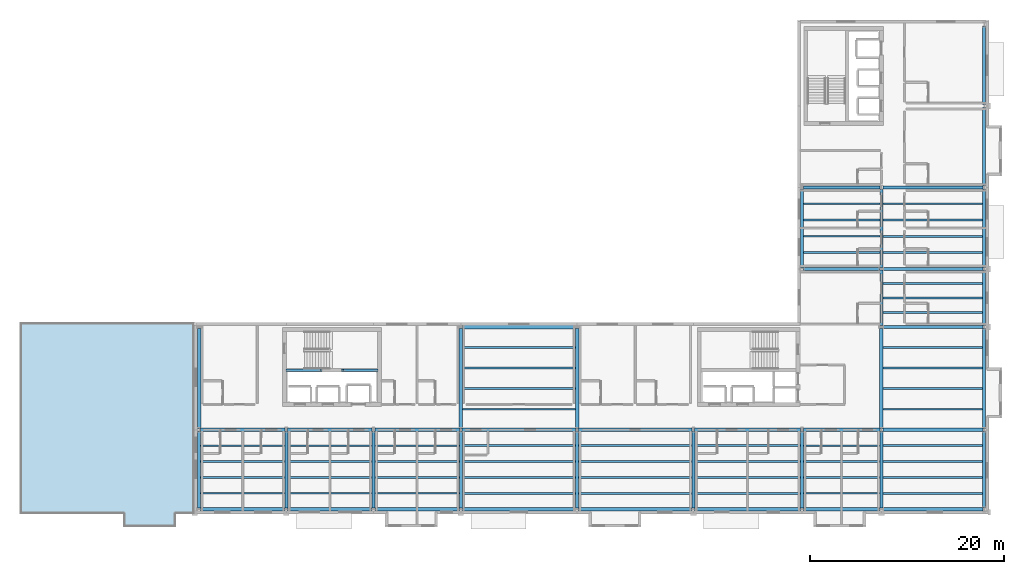
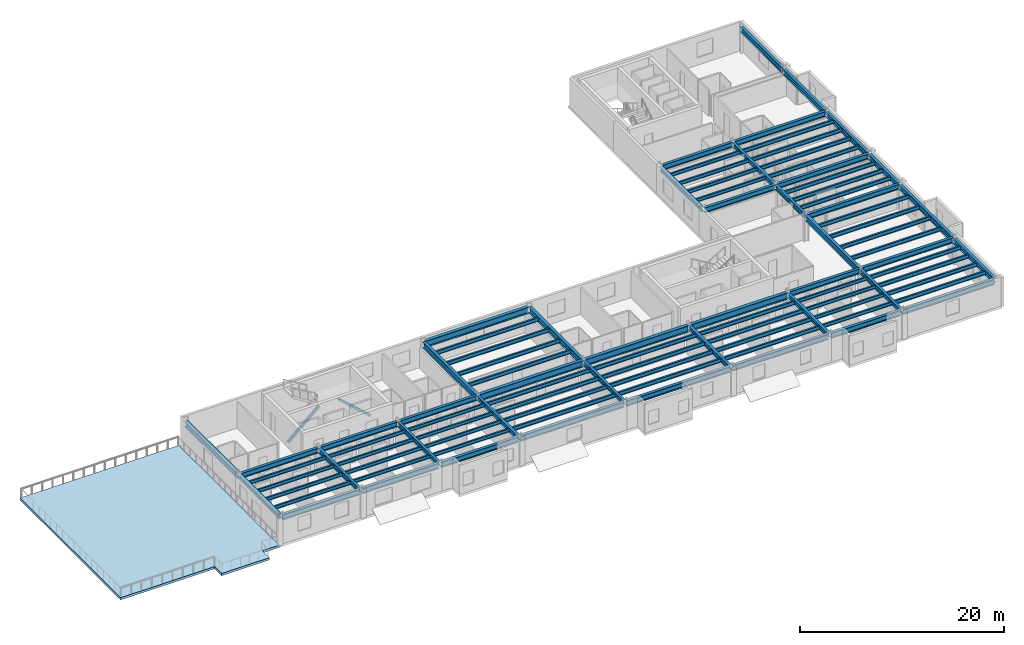
# One storey, part 3 of 17: 94 beams, 2 members, 1 slab.
"""IFC4 building model written with IfcOpenShell, lengths in metres."""

from ifc_helpers import new_model, si_unit, direction, frame, origin, origin_2d, place, context, subcontext, project, spatial, polyline, hollow_rectangle, i_section, outline, extrude, material, layer, layer_set, material_profile, profile_set, type_object, element, save


model = new_model("IFC4")

# Units and contexts
model_context = context("Model", 3, precision=1e-05, world=origin(), true_north=direction((0.0, 1.0)))
body_context = subcontext(model_context, "Body", "Model", "MODEL_VIEW")
ifc_project = project(units=[si_unit("LENGTHUNIT", "METRE"), si_unit("AREAUNIT", "SQUARE_METRE"), si_unit("VOLUMEUNIT", "CUBIC_METRE"), si_unit("PLANEANGLEUNIT", "RADIAN"), si_unit("MASSUNIT", "GRAM", prefix="KILO")], contexts=[model_context])

# Site, building, storey
site_placement = place(None, origin())
site = spatial("IfcSite", under=ifc_project, at=site_placement, CompositionType="ELEMENT")
building_placement = place(site_placement, origin())
building = spatial("IfcBuilding", under=site, at=building_placement, Name="Sollismere Congress Hotel", CompositionType="ELEMENT")
storey_placement = place(building_placement, frame((0.0, 0.0, 41.10009765625)))
storey = spatial("IfcBuildingStorey", under=building, at=storey_placement, Name="L10", CompositionType="ELEMENT", Elevation=41.10009765625)

# Beams
ifc_material_1 = material(Name="Steel ASTM A992 Grade 50", Category="steel")
ifc_material_profile_1 = material_profile(ifc_material_1, i_section(OverallWidth=0.31494140625, OverallDepth=0.551025390625, WebThickness=0.01513671875, FlangeThickness=0.0244140625, at=origin_2d()), Name="W21X122")
ifc_profile_set_1 = profile_set([ifc_material_profile_1], Name="Steel ASTM A992 Grade 50")
beam_type_1 = type_object("IfcBeamType", Name="BM-G21H", PredefinedType="BEAM", material=ifc_profile_set_1)
for number, where, z_axis, x_axis, name in (
    (1, (85.0, 0.139892578125, 2.929443359375), (0.0, 1.0, 0.0), (-1.0, 0.0, 0.0), "Beam BM-L10-3668"),
    (2, (94.0, 0.139892578125, 2.929443359375), (0.0, 1.0, 0.0), (-1.0, 0.0, 0.0), "Beam BM-L10-3670"),
    (3, (103.0, 0.139892578125, 2.929443359375), (0.0, 1.0, 0.0), (-1.0, 0.0, 0.0), "Beam BM-L10-3671"),
    (4, (112.0, 0.139892578125, 2.929443359375), (0.0, 1.0, 0.0), (-1.0, 0.0, 0.0), "Beam BM-L10-3672"),
    (5, (124.0, 0.139892578125, 2.929443359375), (0.0, 1.0, 0.0), (-1.0, 0.0, 0.0), "Beam BM-L10-3674"),
    (6, (136.0, 0.139892578125, 2.929443359375), (0.0, 1.0, 0.0), (-1.0, 0.0, 0.0), "Beam BM-L10-3676"),
    (7, (147.199951171875, 0.139892578125, 2.929443359375), (0.0, 1.0, 0.0), (-1.0, 0.0, 0.0), "Beam BM-L10-3677"),
):
    element("IfcBeam", number, at=place(storey_placement, frame(where, z_axis=z_axis, x_axis=x_axis)), inside=storey, type_object=beam_type_1, Name=name, PredefinedType="BEAM", context=body_context, shape_type="SweptSolid", body=[
        extrude(i_section(OverallWidth=0.31494140625, OverallDepth=0.551025390625, WebThickness=0.01513671875, FlangeThickness=0.0244140625, at=origin_2d()), origin(), (0.0, 0.0, 1.0), 7.920166015625),
    ])
beam_1_placement = place(storey_placement, frame((147.199951171875, 24.93994140625, 2.929443359375), z_axis=(0.0, 1.0, 0.0), x_axis=(-1.0, 0.0, 0.0)))
element("IfcBeam", 8, at=beam_1_placement, inside=storey, type_object=beam_type_1, Name="Beam BM-L10-3678", PredefinedType="BEAM", context=body_context, shape_type="SweptSolid", body=[
    extrude(i_section(OverallWidth=0.31494140625, OverallDepth=0.551025390625, WebThickness=0.01513671875, FlangeThickness=0.0244140625, at=origin_2d()), origin(), (0.0, 0.0, 1.0), 8.1201171875),
])
beam_2_placement = place(storey_placement, frame((155.39990234375, 0.139892578125, 2.929443359375), z_axis=(0.0, 1.0, 0.0), x_axis=(-1.0, 0.0, 0.0)))
element("IfcBeam", 9, at=beam_2_placement, inside=storey, type_object=beam_type_1, Name="Beam BM-L10-3679", PredefinedType="BEAM", context=body_context, shape_type="SweptSolid", body=[
    extrude(i_section(OverallWidth=0.31494140625, OverallDepth=0.551025390625, WebThickness=0.01513671875, FlangeThickness=0.0244140625, at=origin_2d()), origin(), (0.0, 0.0, 1.0), 7.920166015625),
])
beam_3_placement = place(storey_placement, frame((155.39990234375, 18.93994140625, 2.929443359375), z_axis=(0.0, 1.0, 0.0), x_axis=(-1.0, 0.0, 0.0)))
element("IfcBeam", 10, at=beam_3_placement, inside=storey, type_object=beam_type_1, Name="Beam BM-L10-3681", PredefinedType="BEAM", context=body_context, shape_type="SweptSolid", body=[
    extrude(i_section(OverallWidth=0.31494140625, OverallDepth=0.551025390625, WebThickness=0.01513671875, FlangeThickness=0.0244140625, at=origin_2d()), origin(), (0.0, 0.0, 1.0), 5.719970703125),
])
beam_4_placement = place(storey_placement, frame((155.39990234375, 24.93994140625, 2.929443359375), z_axis=(0.0, 1.0, 0.0), x_axis=(-1.0, 0.0, 0.0)))
element("IfcBeam", 11, at=beam_4_placement, inside=storey, type_object=beam_type_1, Name="Beam BM-L10-3682", PredefinedType="BEAM", context=body_context, shape_type="SweptSolid", body=[
    extrude(i_section(OverallWidth=0.31494140625, OverallDepth=0.551025390625, WebThickness=0.01513671875, FlangeThickness=0.0244140625, at=origin_2d()), origin(), (0.0, 0.0, 1.0), 8.1201171875),
])
ifc_material_profile_2 = material_profile(ifc_material_1, i_section(OverallWidth=0.324951171875, OverallDepth=0.612060546875, WebThickness=0.0126953125, FlangeThickness=0.01904296875, at=origin_2d()), Name="W24X104")
ifc_profile_set_2 = profile_set([ifc_material_profile_2], Name="Steel ASTM A992 Grade 50")
beam_type_2 = type_object("IfcBeamType", Name="BM-G24", PredefinedType="BEAM", material=ifc_profile_set_2)
for number, where, z_axis, x_axis, name in (
    (12, (85.139892578125, 8.199951171875, 2.89892578125), (1.0, 0.0, 0.0), (0.0, 1.0, 0.0), "Beam BM-L10-3654"),
    (13, (94.139892578125, 8.199951171875, 2.89892578125), (1.0, 0.0, 0.0), (0.0, 1.0, 0.0), "Beam BM-L10-3655"),
    (14, (103.139892578125, 8.199951171875, 2.89892578125), (1.0, 0.0, 0.0), (0.0, 1.0, 0.0), "Beam BM-L10-3656"),
):
    element("IfcBeam", number, at=place(storey_placement, frame(where, z_axis=z_axis, x_axis=x_axis)), inside=storey, type_object=beam_type_2, Name=name, PredefinedType="BEAM", context=body_context, shape_type="SweptSolid", body=[
        extrude(i_section(OverallWidth=0.324951171875, OverallDepth=0.612060546875, WebThickness=0.0126953125, FlangeThickness=0.01904296875, at=origin_2d()), origin(), (0.0, 0.0, 1.0), 8.72021484375),
    ])
beam_5_placement = place(storey_placement, frame((147.340087890625, 8.199951171875, 2.89892578125), z_axis=(1.0, 0.0, 0.0), x_axis=(0.0, 1.0, 0.0)))
element("IfcBeam", 15, at=beam_5_placement, inside=storey, type_object=beam_type_2, Name="Beam BM-L10-3660", PredefinedType="BEAM", context=body_context, shape_type="SweptSolid", body=[
    extrude(i_section(OverallWidth=0.324951171875, OverallDepth=0.612060546875, WebThickness=0.0126953125, FlangeThickness=0.01904296875, at=origin_2d()), origin(), (0.0, 0.0, 1.0), 7.919921875),
])
for number, where, z_axis, x_axis, name in (
    (16, (155.5400390625, 8.199951171875, 2.89892578125), (1.0, 0.0, 0.0), (0.0, 1.0, 0.0), "Beam BM-L10-3661"),
    (17, (155.5400390625, 18.800048828125, 2.89892578125), (1.0, 0.0, 0.0), (0.0, 1.0, 0.0), "Beam BM-L10-3663"),
):
    element("IfcBeam", number, at=place(storey_placement, frame(where, z_axis=z_axis, x_axis=x_axis)), inside=storey, type_object=beam_type_2, Name=name, PredefinedType="BEAM", context=body_context, shape_type="SweptSolid", body=[
        extrude(i_section(OverallWidth=0.324951171875, OverallDepth=0.612060546875, WebThickness=0.0126953125, FlangeThickness=0.01904296875, at=origin_2d()), origin(), (0.0, 0.0, 1.0), 10.320068359375),
    ])
beam_6_placement = place(storey_placement, frame((147.340087890625, 24.800048828125, 2.89892578125), z_axis=(1.0, 0.0, 0.0), x_axis=(0.0, 1.0, 0.0)))
element("IfcBeam", 18, at=beam_6_placement, inside=storey, type_object=beam_type_2, Name="Beam BM-L10-3664", PredefinedType="BEAM", context=body_context, shape_type="SweptSolid", body=[
    extrude(i_section(OverallWidth=0.324951171875, OverallDepth=0.612060546875, WebThickness=0.0126953125, FlangeThickness=0.01904296875, at=origin_2d()), origin(), (0.0, 0.0, 1.0), 7.919921875),
])
beam_7_placement = place(storey_placement, frame((155.5400390625, 24.800048828125, 2.89892578125), z_axis=(1.0, 0.0, 0.0), x_axis=(0.0, 1.0, 0.0)))
element("IfcBeam", 19, at=beam_7_placement, inside=storey, type_object=beam_type_2, Name="Beam BM-L10-3665", PredefinedType="BEAM", context=body_context, shape_type="SweptSolid", body=[
    extrude(i_section(OverallWidth=0.324951171875, OverallDepth=0.612060546875, WebThickness=0.0126953125, FlangeThickness=0.01904296875, at=origin_2d()), origin(), (0.0, 0.0, 1.0), 10.320068359375),
])
beam_8_placement = place(storey_placement, frame((147.340087890625, 33.199951171875, 2.89892578125), z_axis=(1.0, 0.0, 0.0), x_axis=(0.0, 1.0, 0.0)))
element("IfcBeam", 20, at=beam_8_placement, inside=storey, type_object=beam_type_2, Name="Beam BM-L10-3666", PredefinedType="BEAM", context=body_context, shape_type="SweptSolid", body=[
    extrude(i_section(OverallWidth=0.324951171875, OverallDepth=0.612060546875, WebThickness=0.0126953125, FlangeThickness=0.01904296875, at=origin_2d()), origin(), (0.0, 0.0, 1.0), 7.919921875),
])
beam_9_placement = place(storey_placement, frame((155.5400390625, 33.199951171875, 2.89892578125), z_axis=(1.0, 0.0, 0.0), x_axis=(0.0, 1.0, 0.0)))
element("IfcBeam", 21, at=beam_9_placement, inside=storey, type_object=beam_type_2, Name="Beam BM-L10-3667", PredefinedType="BEAM", context=body_context, shape_type="SweptSolid", body=[
    extrude(i_section(OverallWidth=0.324951171875, OverallDepth=0.612060546875, WebThickness=0.0126953125, FlangeThickness=0.01904296875, at=origin_2d()), origin(), (0.0, 0.0, 1.0), 10.320068359375),
])
ifc_material_profile_3 = material_profile(ifc_material_1, i_section(OverallWidth=0.35595703125, OverallDepth=0.696044921875, WebThickness=0.015380859375, FlangeThickness=0.025146484375, at=origin_2d()), Name="W27X146")
ifc_profile_set_3 = profile_set([ifc_material_profile_3], Name="Steel ASTM A992 Grade 50")
beam_type_3 = type_object("IfcBeamType", Name="BM-G27", PredefinedType="BEAM", material=ifc_profile_set_3)
for number, where, z_axis, x_axis, name in (
    (22, (85.0, 8.340087890625, 2.85693359375), (0.0, 1.0, 0.0), (-1.0, 0.0, 0.0), "Beam BM-L10-3669"),
    (23, (112.0, 8.340087890625, 2.85693359375), (0.0, 1.0, 0.0), (-1.0, 0.0, 0.0), "Beam BM-L10-3673"),
    (24, (124.0, 8.340087890625, 2.85693359375), (0.0, 1.0, 0.0), (-1.0, 0.0, 0.0), "Beam BM-L10-3675"),
    (25, (155.39990234375, 8.340087890625, 2.85693359375), (0.0, 1.0, 0.0), (-1.0, 0.0, 0.0), "Beam BM-L10-3680"),
):
    element("IfcBeam", number, at=place(storey_placement, frame(where, z_axis=z_axis, x_axis=x_axis)), inside=storey, type_object=beam_type_3, Name=name, PredefinedType="BEAM", context=body_context, shape_type="SweptSolid", body=[
        extrude(i_section(OverallWidth=0.35595703125, OverallDepth=0.696044921875, WebThickness=0.015380859375, FlangeThickness=0.025146484375, at=origin_2d()), origin(), (0.0, 0.0, 1.0), 10.31982421875),
    ])
ifc_material_profile_4 = material_profile(ifc_material_1, i_section(OverallWidth=0.384033203125, OverallDepth=0.787109375, WebThickness=0.019775390625, FlangeThickness=0.033447265625, at=origin_2d()), Name="W30X211")
ifc_profile_set_4 = profile_set([ifc_material_profile_4], Name="Steel ASTM A992 Grade 50")
beam_type_4 = type_object("IfcBeamType", Name="BM-G30", PredefinedType="BEAM", material=ifc_profile_set_4)
for number, where, z_axis, x_axis, name in (
    (26, (112.139892578125, 8.199951171875, 2.8115234375), (1.0, 0.0, 0.0), (0.0, 1.0, 0.0), "Beam BM-L10-3657"),
    (27, (124.139892578125, 8.199951171875, 2.8115234375), (1.0, 0.0, 0.0), (0.0, 1.0, 0.0), "Beam BM-L10-3658"),
):
    element("IfcBeam", number, at=place(storey_placement, frame(where, z_axis=z_axis, x_axis=x_axis)), inside=storey, type_object=beam_type_4, Name=name, PredefinedType="BEAM", context=body_context, shape_type="SweptSolid", body=[
        extrude(i_section(OverallWidth=0.384033203125, OverallDepth=0.787109375, WebThickness=0.019775390625, FlangeThickness=0.033447265625, at=origin_2d()), origin(), (0.0, 0.0, 1.0), 11.72021484375),
    ])
beam_10_placement = place(storey_placement, frame((136.139892578125, 8.199951171875, 2.8115234375), z_axis=(1.0, 0.0, 0.0), x_axis=(0.0, 1.0, 0.0)))
element("IfcBeam", 28, at=beam_10_placement, inside=storey, type_object=beam_type_4, Name="Beam BM-L10-3659", PredefinedType="BEAM", context=body_context, shape_type="SweptSolid", body=[
    extrude(i_section(OverallWidth=0.384033203125, OverallDepth=0.787109375, WebThickness=0.019775390625, FlangeThickness=0.033447265625, at=origin_2d()), origin(), (0.0, 0.0, 1.0), 10.920166015625),
])
beam_11_placement = place(storey_placement, frame((112.139892578125, 18.800048828125, 2.8115234375), z_axis=(1.0, 0.0, 0.0), x_axis=(0.0, 1.0, 0.0)))
element("IfcBeam", 29, at=beam_11_placement, inside=storey, type_object=beam_type_4, Name="Beam BM-L10-3662", PredefinedType="BEAM", context=body_context, shape_type="SweptSolid", body=[
    extrude(i_section(OverallWidth=0.384033203125, OverallDepth=0.787109375, WebThickness=0.019775390625, FlangeThickness=0.033447265625, at=origin_2d()), origin(), (0.0, 0.0, 1.0), 11.72021484375),
])
ifc_material_profile_5 = material_profile(ifc_material_1, i_section(OverallWidth=0.180908203125, OverallDepth=0.4169921875, WebThickness=0.010986328125, FlangeThickness=0.018310546875, at=origin_2d()), Name="W16X57")
ifc_profile_set_5 = profile_set([ifc_material_profile_5], Name="Steel ASTM A992 Grade 50")
beam_type_5 = type_object("IfcBeamType", Name="BM-J16", PredefinedType="JOIST", material=ifc_profile_set_5)
for number, where, z_axis, x_axis, name in (
    (30, (85.157470703125, 1.639892578125, 2.996337890625), (1.0, 0.0, 0.0), (0.0, 1.0, 0.0), "Beam BM-L10-3689"),
    (31, (85.157470703125, 3.280029296875, 2.996337890625), (1.0, 0.0, 0.0), (0.0, 1.0, 0.0), "Beam BM-L10-3690"),
    (32, (85.157470703125, 4.919921875, 2.996337890625), (1.0, 0.0, 0.0), (0.0, 1.0, 0.0), "Beam BM-L10-3691"),
    (33, (85.157470703125, 6.56005859375, 2.996337890625), (1.0, 0.0, 0.0), (0.0, 1.0, 0.0), "Beam BM-L10-3692"),
    (34, (94.157470703125, 1.639892578125, 2.996337890625), (1.0, 0.0, 0.0), (0.0, 1.0, 0.0), "Beam BM-L10-3693"),
    (35, (94.157470703125, 3.280029296875, 2.996337890625), (1.0, 0.0, 0.0), (0.0, 1.0, 0.0), "Beam BM-L10-3694"),
    (36, (94.157470703125, 4.919921875, 2.996337890625), (1.0, 0.0, 0.0), (0.0, 1.0, 0.0), "Beam BM-L10-3695"),
    (37, (94.157470703125, 6.56005859375, 2.996337890625), (1.0, 0.0, 0.0), (0.0, 1.0, 0.0), "Beam BM-L10-3696"),
    (38, (103.157470703125, 1.639892578125, 2.996337890625), (1.0, 0.0, 0.0), (0.0, 1.0, 0.0), "Beam BM-L10-3697"),
    (39, (103.157470703125, 3.280029296875, 2.996337890625), (1.0, 0.0, 0.0), (0.0, 1.0, 0.0), "Beam BM-L10-3698"),
    (40, (103.157470703125, 4.919921875, 2.996337890625), (1.0, 0.0, 0.0), (0.0, 1.0, 0.0), "Beam BM-L10-3699"),
    (41, (103.157470703125, 6.56005859375, 2.996337890625), (1.0, 0.0, 0.0), (0.0, 1.0, 0.0), "Beam BM-L10-3700"),
):
    element("IfcBeam", number, at=place(storey_placement, frame(where, z_axis=z_axis, x_axis=x_axis)), inside=storey, type_object=beam_type_5, Name=name, PredefinedType="JOIST", context=body_context, shape_type="SweptSolid", body=[
        extrude(i_section(OverallWidth=0.180908203125, OverallDepth=0.4169921875, WebThickness=0.010986328125, FlangeThickness=0.018310546875, at=origin_2d()), origin(), (0.0, 0.0, 1.0), 8.68505859375),
    ])
for number, where, z_axis, x_axis, name in (
    (42, (147.357421875, 1.639892578125, 2.996337890625), (1.0, 0.0, 0.0), (0.0, 1.0, 0.0), "Beam BM-L10-3717"),
    (43, (147.357421875, 3.280029296875, 2.996337890625), (1.0, 0.0, 0.0), (0.0, 1.0, 0.0), "Beam BM-L10-3718"),
    (44, (147.357421875, 4.919921875, 2.996337890625), (1.0, 0.0, 0.0), (0.0, 1.0, 0.0), "Beam BM-L10-3719"),
    (45, (147.357421875, 6.56005859375, 2.996337890625), (1.0, 0.0, 0.0), (0.0, 1.0, 0.0), "Beam BM-L10-3720"),
    (46, (147.357421875, 26.47998046875, 2.996337890625), (1.0, 0.0, 0.0), (0.0, 1.0, 0.0), "Beam BM-L10-3721"),
    (47, (147.357421875, 28.159912109375, 2.996337890625), (1.0, 0.0, 0.0), (0.0, 1.0, 0.0), "Beam BM-L10-3722"),
    (48, (147.357421875, 29.840087890625, 2.996337890625), (1.0, 0.0, 0.0), (0.0, 1.0, 0.0), "Beam BM-L10-3723"),
    (49, (147.357421875, 31.52001953125, 2.996337890625), (1.0, 0.0, 0.0), (0.0, 1.0, 0.0), "Beam BM-L10-3724"),
):
    element("IfcBeam", number, at=place(storey_placement, frame(where, z_axis=z_axis, x_axis=x_axis)), inside=storey, type_object=beam_type_5, Name=name, PredefinedType="JOIST", context=body_context, shape_type="SweptSolid", body=[
        extrude(i_section(OverallWidth=0.180908203125, OverallDepth=0.4169921875, WebThickness=0.010986328125, FlangeThickness=0.018310546875, at=origin_2d()), origin(), (0.0, 0.0, 1.0), 7.885009765625),
    ])
ifc_material_profile_6 = material_profile(ifc_material_1, i_section(OverallWidth=0.193115234375, OverallDepth=0.467041015625, WebThickness=0.011474609375, FlangeThickness=0.01904296875, at=origin_2d()), Name="W18X65")
ifc_profile_set_6 = profile_set([ifc_material_profile_6], Name="Steel ASTM A992 Grade 50")
beam_type_6 = type_object("IfcBeamType", Name="BM-J18", PredefinedType="JOIST", material=ifc_profile_set_6)
for number, where, z_axis, x_axis, name in (
    (50, (112.157470703125, 1.639892578125, 2.971435546875), (1.0, 0.0, 0.0), (0.0, 1.0, 0.0), "Beam BM-L10-3701"),
    (51, (112.157470703125, 3.280029296875, 2.971435546875), (1.0, 0.0, 0.0), (0.0, 1.0, 0.0), "Beam BM-L10-3702"),
    (52, (112.157470703125, 4.919921875, 2.971435546875), (1.0, 0.0, 0.0), (0.0, 1.0, 0.0), "Beam BM-L10-3703"),
    (53, (112.157470703125, 6.56005859375, 2.971435546875), (1.0, 0.0, 0.0), (0.0, 1.0, 0.0), "Beam BM-L10-3704"),
):
    element("IfcBeam", number, at=place(storey_placement, frame(where, z_axis=z_axis, x_axis=x_axis)), inside=storey, type_object=beam_type_6, Name=name, PredefinedType="JOIST", context=body_context, shape_type="SweptSolid", body=[
        extrude(i_section(OverallWidth=0.193115234375, OverallDepth=0.467041015625, WebThickness=0.011474609375, FlangeThickness=0.01904296875, at=origin_2d()), origin(), (0.0, 0.0, 1.0), 11.68505859375),
    ])
for number, where, z_axis, x_axis, name in (
    (54, (112.177978515625, 10.320068359375, 2.971435546875), (1.0, 0.0, 0.0), (0.0, 1.0, 0.0), "Beam BM-L10-3705"),
    (55, (112.177978515625, 12.43994140625, 2.971435546875), (1.0, 0.0, 0.0), (0.0, 1.0, 0.0), "Beam BM-L10-3706"),
    (56, (112.177978515625, 14.56005859375, 2.971435546875), (1.0, 0.0, 0.0), (0.0, 1.0, 0.0), "Beam BM-L10-3707"),
    (57, (112.177978515625, 16.679931640625, 2.971435546875), (1.0, 0.0, 0.0), (0.0, 1.0, 0.0), "Beam BM-L10-3708"),
):
    element("IfcBeam", number, at=place(storey_placement, frame(where, z_axis=z_axis, x_axis=x_axis)), inside=storey, type_object=beam_type_6, Name=name, PredefinedType="JOIST", context=body_context, shape_type="SweptSolid", body=[
        extrude(i_section(OverallWidth=0.193115234375, OverallDepth=0.467041015625, WebThickness=0.011474609375, FlangeThickness=0.01904296875, at=origin_2d()), origin(), (0.0, 0.0, 1.0), 11.64404296875),
    ])
for number, where, z_axis, x_axis, name in (
    (58, (124.157470703125, 1.639892578125, 2.971435546875), (1.0, 0.0, 0.0), (0.0, 1.0, 0.0), "Beam BM-L10-3709"),
    (59, (124.157470703125, 3.280029296875, 2.971435546875), (1.0, 0.0, 0.0), (0.0, 1.0, 0.0), "Beam BM-L10-3710"),
    (60, (124.157470703125, 4.919921875, 2.971435546875), (1.0, 0.0, 0.0), (0.0, 1.0, 0.0), "Beam BM-L10-3711"),
    (61, (124.157470703125, 6.56005859375, 2.971435546875), (1.0, 0.0, 0.0), (0.0, 1.0, 0.0), "Beam BM-L10-3712"),
):
    element("IfcBeam", number, at=place(storey_placement, frame(where, z_axis=z_axis, x_axis=x_axis)), inside=storey, type_object=beam_type_6, Name=name, PredefinedType="JOIST", context=body_context, shape_type="SweptSolid", body=[
        extrude(i_section(OverallWidth=0.193115234375, OverallDepth=0.467041015625, WebThickness=0.011474609375, FlangeThickness=0.01904296875, at=origin_2d()), origin(), (0.0, 0.0, 1.0), 11.68505859375),
    ])
for number, where, z_axis, x_axis, name in (
    (62, (136.157470703125, 1.639892578125, 2.971435546875), (1.0, 0.0, 0.0), (0.0, 1.0, 0.0), "Beam BM-L10-3713"),
    (63, (136.157470703125, 3.280029296875, 2.971435546875), (1.0, 0.0, 0.0), (0.0, 1.0, 0.0), "Beam BM-L10-3714"),
    (64, (136.157470703125, 4.919921875, 2.971435546875), (1.0, 0.0, 0.0), (0.0, 1.0, 0.0), "Beam BM-L10-3715"),
    (65, (136.157470703125, 6.56005859375, 2.971435546875), (1.0, 0.0, 0.0), (0.0, 1.0, 0.0), "Beam BM-L10-3716"),
):
    element("IfcBeam", number, at=place(storey_placement, frame(where, z_axis=z_axis, x_axis=x_axis)), inside=storey, type_object=beam_type_6, Name=name, PredefinedType="JOIST", context=body_context, shape_type="SweptSolid", body=[
        extrude(i_section(OverallWidth=0.193115234375, OverallDepth=0.467041015625, WebThickness=0.011474609375, FlangeThickness=0.01904296875, at=origin_2d()), origin(), (0.0, 0.0, 1.0), 10.885009765625),
    ])
for number, where, z_axis, x_axis, name in (
    (66, (155.5576171875, 1.639892578125, 2.971435546875), (1.0, 0.0, 0.0), (0.0, 1.0, 0.0), "Beam BM-L10-3725"),
    (67, (155.5576171875, 3.280029296875, 2.971435546875), (1.0, 0.0, 0.0), (0.0, 1.0, 0.0), "Beam BM-L10-3726"),
    (68, (155.5576171875, 4.919921875, 2.971435546875), (1.0, 0.0, 0.0), (0.0, 1.0, 0.0), "Beam BM-L10-3727"),
    (69, (155.5576171875, 6.56005859375, 2.971435546875), (1.0, 0.0, 0.0), (0.0, 1.0, 0.0), "Beam BM-L10-3728"),
):
    element("IfcBeam", number, at=place(storey_placement, frame(where, z_axis=z_axis, x_axis=x_axis)), inside=storey, type_object=beam_type_6, Name=name, PredefinedType="JOIST", context=body_context, shape_type="SweptSolid", body=[
        extrude(i_section(OverallWidth=0.193115234375, OverallDepth=0.467041015625, WebThickness=0.011474609375, FlangeThickness=0.01904296875, at=origin_2d()), origin(), (0.0, 0.0, 1.0), 10.27734375),
    ])
for number, where, z_axis, x_axis, name in (
    (70, (155.577880859375, 10.320068359375, 2.971435546875), (1.0, 0.0, 0.0), (0.0, 1.0, 0.0), "Beam BM-L10-3729"),
    (71, (155.577880859375, 12.43994140625, 2.971435546875), (1.0, 0.0, 0.0), (0.0, 1.0, 0.0), "Beam BM-L10-3730"),
    (72, (155.577880859375, 14.56005859375, 2.971435546875), (1.0, 0.0, 0.0), (0.0, 1.0, 0.0), "Beam BM-L10-3731"),
    (73, (155.577880859375, 16.679931640625, 2.971435546875), (1.0, 0.0, 0.0), (0.0, 1.0, 0.0), "Beam BM-L10-3732"),
):
    element("IfcBeam", number, at=place(storey_placement, frame(where, z_axis=z_axis, x_axis=x_axis)), inside=storey, type_object=beam_type_6, Name=name, PredefinedType="JOIST", context=body_context, shape_type="SweptSolid", body=[
        extrude(i_section(OverallWidth=0.193115234375, OverallDepth=0.467041015625, WebThickness=0.011474609375, FlangeThickness=0.01904296875, at=origin_2d()), origin(), (0.0, 0.0, 1.0), 10.257080078125),
    ])
for number, where, z_axis, x_axis, name in (
    (74, (155.5576171875, 20.300048828125, 2.971435546875), (1.0, 0.0, 0.0), (0.0, 1.0, 0.0), "Beam BM-L10-3733"),
    (75, (155.5576171875, 21.800048828125, 2.971435546875), (1.0, 0.0, 0.0), (0.0, 1.0, 0.0), "Beam BM-L10-3734"),
    (76, (155.5576171875, 23.300048828125, 2.971435546875), (1.0, 0.0, 0.0), (0.0, 1.0, 0.0), "Beam BM-L10-3735"),
    (77, (155.5576171875, 26.47998046875, 2.971435546875), (1.0, 0.0, 0.0), (0.0, 1.0, 0.0), "Beam BM-L10-3736"),
    (78, (155.5576171875, 28.159912109375, 2.971435546875), (1.0, 0.0, 0.0), (0.0, 1.0, 0.0), "Beam BM-L10-3737"),
    (79, (155.5576171875, 29.840087890625, 2.971435546875), (1.0, 0.0, 0.0), (0.0, 1.0, 0.0), "Beam BM-L10-3738"),
    (80, (155.5576171875, 31.52001953125, 2.971435546875), (1.0, 0.0, 0.0), (0.0, 1.0, 0.0), "Beam BM-L10-3739"),
):
    element("IfcBeam", number, at=place(storey_placement, frame(where, z_axis=z_axis, x_axis=x_axis)), inside=storey, type_object=beam_type_6, Name=name, PredefinedType="JOIST", context=body_context, shape_type="SweptSolid", body=[
        extrude(i_section(OverallWidth=0.193115234375, OverallDepth=0.467041015625, WebThickness=0.011474609375, FlangeThickness=0.01904296875, at=origin_2d()), origin(), (0.0, 0.0, 1.0), 10.27734375),
    ])
ifc_material_profile_7 = material_profile(ifc_material_1, i_section(OverallWidth=0.330078125, OverallDepth=0.635009765625, WebThickness=0.017822265625, FlangeThickness=0.031005859375, at=origin_2d()), Name="W24X162")
ifc_profile_set_7 = profile_set([ifc_material_profile_7], Name="Steel ASTM A992 Grade 50")
beam_type_7 = type_object("IfcBeamType", Name="BM-SP24E", PredefinedType="SPANDREL", material=ifc_profile_set_7)
for number, where, z_axis, x_axis, name in (
    (81, (85.139892578125, 0.0, 2.887451171875), (1.0, 0.0, 0.0), (0.0, 1.0, 0.0), "Beam BM-L10-3646"),
    (82, (94.139892578125, 0.0, 2.887451171875), (1.0, 0.0, 0.0), (0.0, 1.0, 0.0), "Beam BM-L10-3647"),
    (83, (103.139892578125, 0.0, 2.887451171875), (1.0, 0.0, 0.0), (0.0, 1.0, 0.0), "Beam BM-L10-3648"),
):
    element("IfcBeam", number, at=place(storey_placement, frame(where, z_axis=z_axis, x_axis=x_axis)), inside=storey, type_object=beam_type_7, Name=name, PredefinedType="SPANDREL", context=body_context, shape_type="SweptSolid", body=[
        extrude(i_section(OverallWidth=0.330078125, OverallDepth=0.635009765625, WebThickness=0.017822265625, FlangeThickness=0.031005859375, at=origin_2d()), origin(), (0.0, 0.0, 1.0), 8.72021484375),
    ])
for number, where, z_axis, x_axis, name in (
    (84, (112.139892578125, 0.0, 2.887451171875), (1.0, 0.0, 0.0), (0.0, 1.0, 0.0), "Beam BM-L10-3649"),
    (85, (124.139892578125, 0.0, 2.887451171875), (1.0, 0.0, 0.0), (0.0, 1.0, 0.0), "Beam BM-L10-3650"),
):
    element("IfcBeam", number, at=place(storey_placement, frame(where, z_axis=z_axis, x_axis=x_axis)), inside=storey, type_object=beam_type_7, Name=name, PredefinedType="SPANDREL", context=body_context, shape_type="SweptSolid", body=[
        extrude(i_section(OverallWidth=0.330078125, OverallDepth=0.635009765625, WebThickness=0.017822265625, FlangeThickness=0.031005859375, at=origin_2d()), origin(), (0.0, 0.0, 1.0), 11.72021484375),
    ])
beam_12_placement = place(storey_placement, frame((136.139892578125, 0.0, 2.887451171875), z_axis=(1.0, 0.0, 0.0), x_axis=(0.0, 1.0, 0.0)))
element("IfcBeam", 86, at=beam_12_placement, inside=storey, type_object=beam_type_7, Name="Beam BM-L10-3651", PredefinedType="SPANDREL", context=body_context, shape_type="SweptSolid", body=[
    extrude(i_section(OverallWidth=0.330078125, OverallDepth=0.635009765625, WebThickness=0.017822265625, FlangeThickness=0.031005859375, at=origin_2d()), origin(), (0.0, 0.0, 1.0), 10.920166015625),
])
beam_13_placement = place(storey_placement, frame((147.340087890625, 0.0, 2.887451171875), z_axis=(1.0, 0.0, 0.0), x_axis=(0.0, 1.0, 0.0)))
element("IfcBeam", 87, at=beam_13_placement, inside=storey, type_object=beam_type_7, Name="Beam BM-L10-3652", PredefinedType="SPANDREL", context=body_context, shape_type="SweptSolid", body=[
    extrude(i_section(OverallWidth=0.330078125, OverallDepth=0.635009765625, WebThickness=0.017822265625, FlangeThickness=0.031005859375, at=origin_2d()), origin(), (0.0, 0.0, 1.0), 7.919921875),
])
beam_14_placement = place(storey_placement, frame((155.5400390625, 0.0, 2.887451171875), z_axis=(1.0, 0.0, 0.0), x_axis=(0.0, 1.0, 0.0)))
element("IfcBeam", 88, at=beam_14_placement, inside=storey, type_object=beam_type_7, Name="Beam BM-L10-3653", PredefinedType="SPANDREL", context=body_context, shape_type="SweptSolid", body=[
    extrude(i_section(OverallWidth=0.330078125, OverallDepth=0.635009765625, WebThickness=0.017822265625, FlangeThickness=0.031005859375, at=origin_2d()), origin(), (0.0, 0.0, 1.0), 10.320068359375),
])
beam_15_placement = place(storey_placement, frame((166.0, 0.139892578125, 2.887451171875), z_axis=(0.0, 1.0, 0.0), x_axis=(-1.0, 0.0, 0.0)))
element("IfcBeam", 89, at=beam_15_placement, inside=storey, type_object=beam_type_7, Name="Beam BM-L10-3683", PredefinedType="SPANDREL", context=body_context, shape_type="SweptSolid", body=[
    extrude(i_section(OverallWidth=0.330078125, OverallDepth=0.635009765625, WebThickness=0.017822265625, FlangeThickness=0.031005859375, at=origin_2d()), origin(), (0.0, 0.0, 1.0), 7.920166015625),
])
beam_16_placement = place(storey_placement, frame((166.0, 8.340087890625, 2.887451171875), z_axis=(0.0, 1.0, 0.0), x_axis=(-1.0, 0.0, 0.0)))
element("IfcBeam", 90, at=beam_16_placement, inside=storey, type_object=beam_type_7, Name="Beam BM-L10-3684", PredefinedType="SPANDREL", context=body_context, shape_type="SweptSolid", body=[
    extrude(i_section(OverallWidth=0.330078125, OverallDepth=0.635009765625, WebThickness=0.017822265625, FlangeThickness=0.031005859375, at=origin_2d()), origin(), (0.0, 0.0, 1.0), 10.31982421875),
])
beam_17_placement = place(storey_placement, frame((166.0, 18.93994140625, 2.887451171875), z_axis=(0.0, 1.0, 0.0), x_axis=(-1.0, 0.0, 0.0)))
element("IfcBeam", 91, at=beam_17_placement, inside=storey, type_object=beam_type_7, Name="Beam BM-L10-3685", PredefinedType="SPANDREL", context=body_context, shape_type="SweptSolid", body=[
    extrude(i_section(OverallWidth=0.330078125, OverallDepth=0.635009765625, WebThickness=0.017822265625, FlangeThickness=0.031005859375, at=origin_2d()), origin(), (0.0, 0.0, 1.0), 5.719970703125),
])
beam_18_placement = place(storey_placement, frame((166.0, 24.93994140625, 2.887451171875), z_axis=(0.0, 1.0, 0.0), x_axis=(-1.0, 0.0, 0.0)))
element("IfcBeam", 92, at=beam_18_placement, inside=storey, type_object=beam_type_7, Name="Beam BM-L10-3686", PredefinedType="SPANDREL", context=body_context, shape_type="SweptSolid", body=[
    extrude(i_section(OverallWidth=0.330078125, OverallDepth=0.635009765625, WebThickness=0.017822265625, FlangeThickness=0.031005859375, at=origin_2d()), origin(), (0.0, 0.0, 1.0), 8.1201171875),
])
beam_19_placement = place(storey_placement, frame((166.0, 33.340087890625, 2.887451171875), z_axis=(0.0, 1.0, 0.0), x_axis=(-1.0, 0.0, 0.0)))
element("IfcBeam", 93, at=beam_19_placement, inside=storey, type_object=beam_type_7, Name="Beam BM-L10-3687", PredefinedType="SPANDREL", context=body_context, shape_type="SweptSolid", body=[
    extrude(i_section(OverallWidth=0.330078125, OverallDepth=0.635009765625, WebThickness=0.017822265625, FlangeThickness=0.031005859375, at=origin_2d()), origin(), (0.0, 0.0, 1.0), 8.119873046875),
])
beam_20_placement = place(storey_placement, frame((166.0, 41.739990234375, 2.887451171875), z_axis=(0.0, 1.0, 0.0), x_axis=(-1.0, 0.0, 0.0)))
element("IfcBeam", 94, at=beam_20_placement, inside=storey, type_object=beam_type_7, Name="Beam BM-L10-3688", PredefinedType="SPANDREL", context=body_context, shape_type="SweptSolid", body=[
    extrude(i_section(OverallWidth=0.330078125, OverallDepth=0.635009765625, WebThickness=0.017822265625, FlangeThickness=0.031005859375, at=origin_2d()), origin(), (0.0, 0.0, 1.0), 8.1201171875),
])

# Members
ifc_material_2 = material(Name="Steel ASTM A500 Grade C", Category="steel")
ifc_material_profile_8 = material_profile(ifc_material_2, hollow_rectangle(XDim=0.25, YDim=0.25, WallThickness=0.010009765625, at=origin_2d()), Name="HSS250X250X10")
ifc_profile_set_8 = profile_set([ifc_material_profile_8], Name="Steel ASTM A500 Grade C")
member_type = type_object("IfcMemberType", Name="MB-BR250", PredefinedType="BRACE", material=ifc_profile_set_8)
for number, where, z_axis, x_axis, name in (
    (95, (94.050048828125, 14.35009765625, 0.02001953125), (0.746448414446, 0.0, 0.665443284263), (0.0, 1.0, 0.0), "BF-021 diagonal brace"),
    (96, (103.35009765625, 14.35009765625, 0.02001953125), (-0.746448414446, 0.0, 0.665443284263), (0.0, -1.0, 0.0), "BF-022 diagonal brace"),
):
    element("IfcMember", number, at=place(storey_placement, frame(where, z_axis=z_axis, x_axis=x_axis)), inside=storey, type_object=member_type, Name=name, PredefinedType="BRACE", context=body_context, shape_type="SweptSolid", body=[
        extrude(hollow_rectangle(XDim=0.25, YDim=0.25, WallThickness=0.010009765625, at=origin_2d()), origin(), (0.0, 0.0, 1.0), 4.755859375),
    ])

# Slab
ifc_material_3 = material(Name="Concrete C40/50", Category="concrete")
ifc_layer = layer(ifc_material_3, 0.27490234375, Name="Concrete C40/50")
ifc_layer_set = layer_set([ifc_layer], Name="Concrete C40/50")
slab_type = type_object("IfcSlabType", Name="SL-TER275", PredefinedType="FLOOR", material=ifc_layer_set)
slab_placement = place(storey_placement, frame((0.0, 0.0, -0.275146484375)))
element("IfcSlab", 97, at=slab_placement, inside=storey, type_object=slab_type, Name="Slab SL-L10-TRS", PredefinedType="FLOOR", context=body_context, shape_type="SweptSolid", body=[
    extrude(outline(polyline([(82.60009765625, -0.47998046875), (84.52001953125, -0.47998046875), (84.52001953125, 19.280029296875), (66.52001953125, 19.280029296875), (66.52001953125, -0.47998046875), (77.199951171875, -0.47998046875), (77.199951171875, -1.85009765625), (82.60009765625, -1.85009765625), (82.60009765625, -0.47998046875)])), origin(), (0.0, 0.0, 1.0), 0.275146484375),
])

save(model, "model.ifc")
